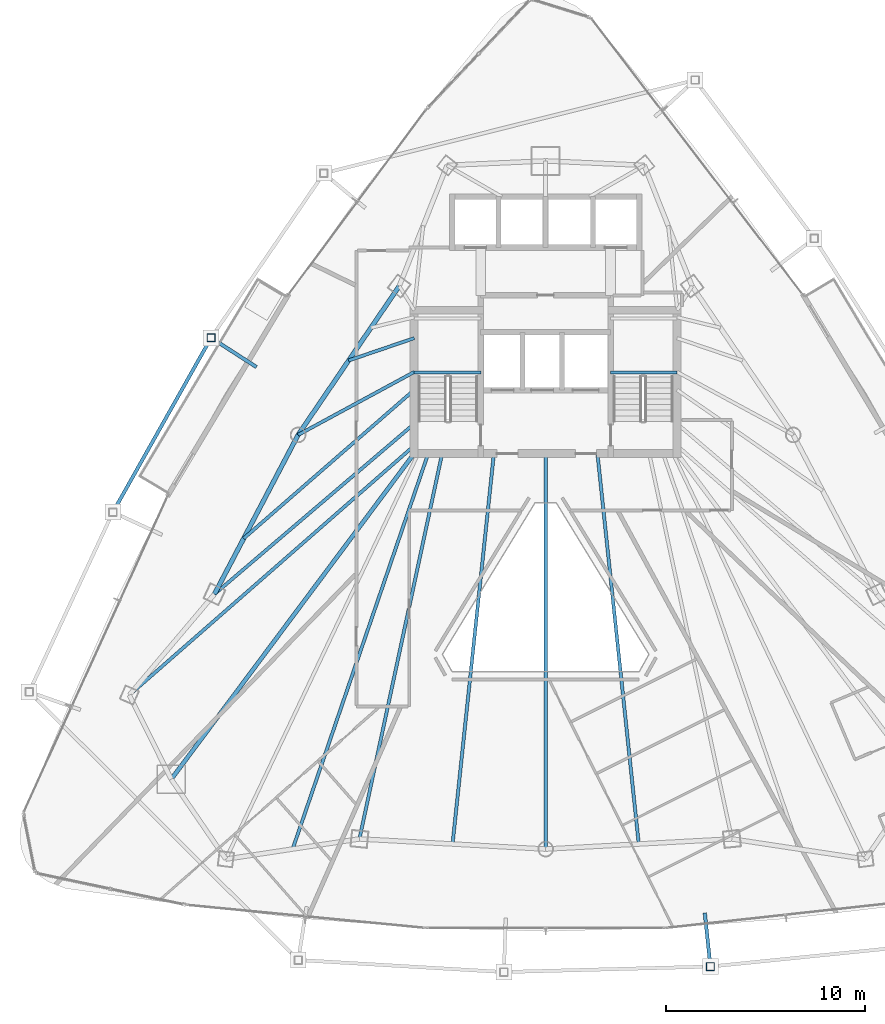
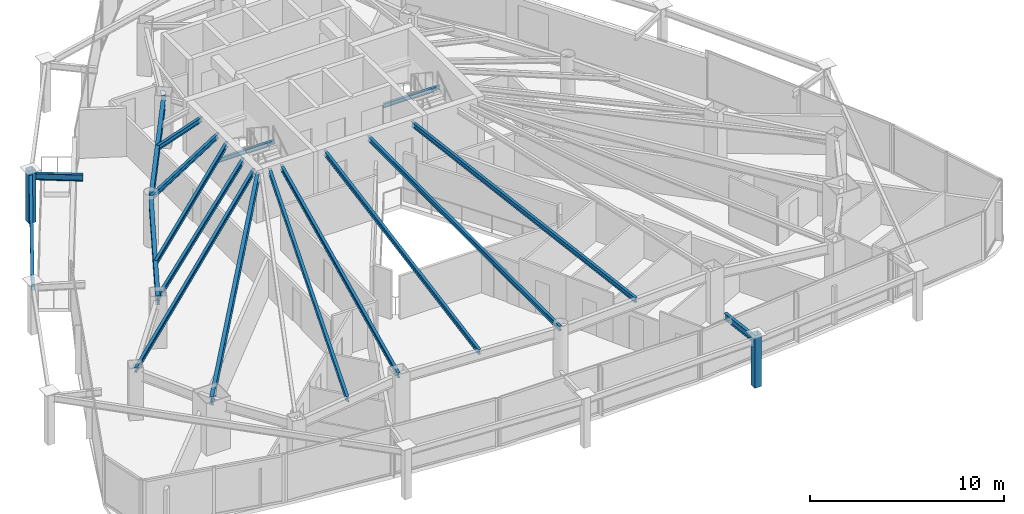
# One storey, part 10 of 31: 18 beams, 2 members.
"""IFC4 building model written with IfcOpenShell, lengths in metres."""

from ifc_helpers import new_model, si_unit, direction, frame, origin, origin_2d, place, context, subcontext, project, spatial, hollow_rectangle, i_section, extrude, material, material_profile, profile_set, type_object, element, save


model = new_model("IFC4")

# Units and contexts
model_context = context("Model", 3, precision=1e-05, world=origin(), true_north=direction((0.0, 1.0)))
body_context = subcontext(model_context, "Body", "Model", "MODEL_VIEW")
ifc_project = project(units=[si_unit("LENGTHUNIT", "METRE"), si_unit("AREAUNIT", "SQUARE_METRE"), si_unit("VOLUMEUNIT", "CUBIC_METRE"), si_unit("PLANEANGLEUNIT", "RADIAN"), si_unit("MASSUNIT", "GRAM", prefix="KILO")], contexts=[model_context])

# Site, building, storey
site_placement = place(None, origin())
site = spatial("IfcSite", under=ifc_project, at=site_placement, CompositionType="ELEMENT")
building_placement = place(site_placement, origin())
building = spatial("IfcBuilding", under=site, at=building_placement, Name="Orvanel Arch Residences", CompositionType="ELEMENT")
storey_placement = place(building_placement, frame((0.0, 0.0, 113.300048828125)))
storey = spatial("IfcBuildingStorey", under=building, at=storey_placement, Name="L31", CompositionType="ELEMENT", Elevation=113.300048828125)

# Beams
ifc_material_1 = material(Name="Structural steel AS/NZS 3679.1 Grade 300 (300 MPa)", Category="steel")
ifc_material_profile_1 = material_profile(ifc_material_1, i_section(OverallWidth=0.208984375, OverallDepth=0.532958984375, WebThickness=0.01025390625, FlangeThickness=0.015625, at=origin_2d()), Name="530UB92.4")
ifc_profile_set_1 = profile_set([ifc_material_profile_1], Name="Structural steel AS/NZS 3679.1 Grade 300 (300 MPa)")
beam_type_1 = type_object("IfcBeamType", Name="BG-530UB", PredefinedType="BEAM", material=ifc_profile_set_1)
beam_1_placement = place(storey_placement, frame((26.375, 26.675048828125, 2.7939453125), z_axis=(-0.597893733742, -0.801575375839, 0.0), x_axis=(0.801575375839, -0.597893733742, 0.0)))
element("IfcBeam", 1, at=beam_1_placement, inside=storey, type_object=beam_type_1, Name="L31 South-West Radial Girder", PredefinedType="BEAM", context=body_context, shape_type="SweptSolid", body=[
    extrude(i_section(OverallWidth=0.208984375, OverallDepth=0.532958984375, WebThickness=0.01025390625, FlangeThickness=0.015625, at=origin_2d()), origin(), (0.0, 0.0, 1.0), 20.36474609375),
])
ifc_material_profile_2 = material_profile(ifc_material_1, i_section(OverallWidth=0.14599609375, OverallDepth=0.251953125, WebThickness=0.006103515625, FlangeThickness=0.008544921875, at=origin_2d()), Name="250UB31.4")
ifc_profile_set_2 = profile_set([ifc_material_profile_2], Name="Structural steel AS/NZS 3679.1 Grade 300 (300 MPa)")
beam_type_2 = type_object("IfcBeamType", Name="BJ-250UB", PredefinedType="JOIST", material=ifc_profile_set_2)
for number, where, z_axis, x_axis, name in (
    (2, (26.39990234375, 30.780029296875, 1.323974609375), (1.0, 0.0, 0.0), (0.0, 1.0, 0.0), "L31 ST-1 Half-Landing Support Beam 1.1"),
    (3, (36.25, 30.780029296875, 1.323974609375), (1.0, 0.0, 0.0), (0.0, 1.0, 0.0), "L31 ST-2 Half-Landing Support Beam 1.1"),
):
    element("IfcBeam", number, at=place(storey_placement, frame(where, z_axis=z_axis, x_axis=x_axis)), inside=storey, type_object=beam_type_2, Name=name, PredefinedType="JOIST", context=body_context, shape_type="SweptSolid", body=[
        extrude(i_section(OverallWidth=0.14599609375, OverallDepth=0.251953125, WebThickness=0.006103515625, FlangeThickness=0.008544921875, at=origin_2d()), origin(), (0.0, 0.0, 1.0), 3.35009765625),
    ])
ifc_material_profile_3 = material_profile(ifc_material_1, i_section(OverallWidth=0.1650390625, OverallDepth=0.303955078125, WebThickness=0.006103515625, FlangeThickness=0.01025390625, at=origin_2d()), Name="310UB40.4")
ifc_profile_set_3 = profile_set([ifc_material_profile_3], Name="Structural steel AS/NZS 3679.1 Grade 300 (300 MPa)")
beam_type_3 = type_object("IfcBeamType", Name="BJ-310UB", PredefinedType="JOIST", material=ifc_profile_set_3)
beam_2_placement = place(storey_placement, frame((26.39990234375, 30.800048828125, 2.907958984375), z_axis=(-0.87925534649, -0.476350748576, 0.0), x_axis=(0.476350748576, -0.87925534649, 0.0)))
element("IfcBeam", 4, at=beam_2_placement, inside=storey, type_object=beam_type_3, Name="L31 NW Wing Floor Joist", PredefinedType="JOIST", context=body_context, shape_type="SweptSolid", body=[
    extrude(i_section(OverallWidth=0.1650390625, OverallDepth=0.303955078125, WebThickness=0.006103515625, FlangeThickness=0.01025390625, at=origin_2d()), origin(), (0.0, 0.0, 1.0), 6.631591796875),
])
beam_3_placement = place(storey_placement, frame((26.39990234375, 28.199951171875, 2.907958984375), z_axis=(-0.760821315761, -0.648961420644, 0.0), x_axis=(0.648961420644, -0.760821315761, 0.0)))
element("IfcBeam", 5, at=beam_3_placement, inside=storey, type_object=beam_type_3, Name="L31 W Wing Floor Joist", PredefinedType="JOIST", context=body_context, shape_type="SweptSolid", body=[
    extrude(i_section(OverallWidth=0.1650390625, OverallDepth=0.303955078125, WebThickness=0.006103515625, FlangeThickness=0.01025390625, at=origin_2d()), origin(), (0.0, 0.0, 1.0), 13.18701171875),
])
beam_4_placement = place(storey_placement, frame((27.800048828125, 26.699951171875, 2.907958984375), z_axis=(-0.209808012425, -0.977742603103, 0.0), x_axis=(0.977742603103, -0.209808012425, 0.0)))
element("IfcBeam", 6, at=beam_4_placement, inside=storey, type_object=beam_type_3, Name="L31 SW Wing Floor Joist", PredefinedType="JOIST", context=body_context, shape_type="SweptSolid", body=[
    extrude(i_section(OverallWidth=0.1650390625, OverallDepth=0.303955078125, WebThickness=0.006103515625, FlangeThickness=0.01025390625, at=origin_2d()), origin(), (0.0, 0.0, 1.0), 19.785400390625),
])
beam_5_placement = place(storey_placement, frame((33.0, 26.699951171875, 2.907958984375), z_axis=(0.0, -1.0, 0.0), x_axis=(1.0, 0.0, 0.0)))
element("IfcBeam", 7, at=beam_5_placement, inside=storey, type_object=beam_type_3, Name="L31 SSW Wing Floor Joist", PredefinedType="JOIST", context=body_context, shape_type="SweptSolid", body=[
    extrude(i_section(OverallWidth=0.1650390625, OverallDepth=0.303955078125, WebThickness=0.006103515625, FlangeThickness=0.01025390625, at=origin_2d()), origin(), (0.0, 0.0, 1.0), 19.85595703125),
])
beam_6_placement = place(storey_placement, frame((26.39990234375, 32.5, 2.907958984375), z_axis=(-0.946441958332, -0.322873999431, 0.0), x_axis=(0.322873999431, -0.946441958332, 0.0)))
element("IfcBeam", 8, at=beam_6_placement, inside=storey, type_object=beam_type_3, Name="L31 WNW Wing Floor Joist", PredefinedType="JOIST", context=body_context, shape_type="SweptSolid", body=[
    extrude(i_section(OverallWidth=0.1650390625, OverallDepth=0.303955078125, WebThickness=0.006103515625, FlangeThickness=0.01025390625, at=origin_2d()), origin(), (0.0, 0.0, 1.0), 3.478271484375),
])
for number, where, z_axis, x_axis, name in (
    (9, (30.39990234375, 26.699951171875, 2.907958984375), (-0.105277340935, -0.994442900063, 0.0), (0.994442900063, -0.105277340935, 0.0), "L31 WSW2 Wing Floor Joist"),
    (10, (35.60009765625, 26.699951171875, 2.907958984375), (0.105277340935, -0.994442900063, 0.0), (0.994442900063, 0.105277340935, 0.0), "L31 ESE2 Wing Floor Joist"),
):
    element("IfcBeam", number, at=place(storey_placement, frame(where, z_axis=z_axis, x_axis=x_axis)), inside=storey, type_object=beam_type_3, Name=name, PredefinedType="JOIST", context=body_context, shape_type="SweptSolid", body=[
        extrude(i_section(OverallWidth=0.1650390625, OverallDepth=0.303955078125, WebThickness=0.006103515625, FlangeThickness=0.01025390625, at=origin_2d()), origin(), (0.0, 0.0, 1.0), 19.70947265625),
    ])
beam_7_placement = place(storey_placement, frame((26.39990234375, 27.10009765625, 2.907958984375), z_axis=(-0.752493154183, -0.658600070534, 0.0), x_axis=(0.658600070534, -0.752493154183, 0.0)))
element("IfcBeam", 11, at=beam_7_placement, inside=storey, type_object=beam_type_3, Name="L31 MW Wing Floor Joist", PredefinedType="JOIST", context=body_context, shape_type="SweptSolid", body=[
    extrude(i_section(OverallWidth=0.1650390625, OverallDepth=0.303955078125, WebThickness=0.006103515625, FlangeThickness=0.01025390625, at=origin_2d()), origin(), (0.0, 0.0, 1.0), 19.010009765625),
])
beam_8_placement = place(storey_placement, frame((26.39990234375, 29.89990234375, 2.907958984375), z_axis=(-0.754047930849, -0.656819395254, 0.0), x_axis=(0.656819395254, -0.754047930849, 0.0)))
element("IfcBeam", 12, at=beam_8_placement, inside=storey, type_object=beam_type_3, Name="L31 CTW Wing Floor Joist", PredefinedType="JOIST", context=body_context, shape_type="SweptSolid", body=[
    extrude(i_section(OverallWidth=0.1650390625, OverallDepth=0.303955078125, WebThickness=0.006103515625, FlangeThickness=0.01025390625, at=origin_2d()), origin(), (0.0, 0.0, 1.0), 11.354736328125),
])
beam_9_placement = place(storey_placement, frame((27.10009765625, 26.699951171875, 2.907958984375), z_axis=(-0.324257108963, -0.945968988544, 0.0), x_axis=(0.945968988544, -0.324257108963, 0.0)))
element("IfcBeam", 13, at=beam_9_placement, inside=storey, type_object=beam_type_3, Name="L31 JADD1 Wing Floor Joist", PredefinedType="JOIST", context=body_context, shape_type="SweptSolid", body=[
    extrude(i_section(OverallWidth=0.1650390625, OverallDepth=0.303955078125, WebThickness=0.006103515625, FlangeThickness=0.01025390625, at=origin_2d()), origin(), (0.0, 0.0, 1.0), 20.987060546875),
])
ifc_material_profile_4 = material_profile(ifc_material_1, i_section(OverallWidth=0.177978515625, OverallDepth=0.406005859375, WebThickness=0.0078125, FlangeThickness=0.0126953125, at=origin_2d()), Name="410UB59.7")
ifc_profile_set_4 = profile_set([ifc_material_profile_4], Name="Structural steel AS/NZS 3679.1 Grade 300 (300 MPa)")
beam_type_4 = type_object("IfcBeamType", Name="OB-410UB-EXT", PredefinedType="SPANDREL", material=ifc_profile_set_4)
beam_10_placement = place(storey_placement, frame((18.47705078125, 31.048095703125, 2.85693359375), z_axis=(-0.840207905483, 0.542264396363, 0.0), x_axis=(-0.542264396363, -0.840207905483, 0.0)))
element("IfcBeam", 14, at=beam_10_placement, inside=storey, type_object=beam_type_4, Name="L31 Outer Frame Radial Tie Beam 02", PredefinedType="SPANDREL", context=body_context, shape_type="SweptSolid", body=[
    extrude(i_section(OverallWidth=0.177978515625, OverallDepth=0.406005859375, WebThickness=0.0078125, FlangeThickness=0.0126953125, at=origin_2d()), origin(), (0.0, 0.0, 1.0), 2.708984375),
])
beam_11_placement = place(storey_placement, frame((16.200927734375, 32.51708984375, 2.85693359375), z_axis=(-0.49068450457, -0.871337315266, 0.0), x_axis=(0.871337315266, -0.49068450457, 0.0)))
element("IfcBeam", 15, at=beam_11_placement, inside=storey, type_object=beam_type_4, Name="L31 Outer Perimeter Floor Ring Beam 02", PredefinedType="SPANDREL", context=body_context, shape_type="SweptSolid", body=[
    extrude(i_section(OverallWidth=0.177978515625, OverallDepth=0.406005859375, WebThickness=0.0078125, FlangeThickness=0.0126953125, at=origin_2d()), origin(), (0.0, 0.0, 1.0), 10.049072265625),
])
beam_12_placement = place(storey_placement, frame((40.989990234375, 3.64111328125, 2.85693359375), z_axis=(0.104773886144, -0.994496069767, 0.0), x_axis=(0.994496069767, 0.104773886144, 0.0)))
element("IfcBeam", 16, at=beam_12_placement, inside=storey, type_object=beam_type_4, Name="L31 Outer Frame Radial Tie Beam 07", PredefinedType="SPANDREL", context=body_context, shape_type="SweptSolid", body=[
    extrude(i_section(OverallWidth=0.177978515625, OverallDepth=0.406005859375, WebThickness=0.0078125, FlangeThickness=0.0126953125, at=origin_2d()), origin(), (0.0, 0.0, 1.0), 2.7099609375),
])
ifc_material_profile_5 = material_profile(ifc_material_1, i_section(OverallWidth=0.22900390625, OverallDepth=0.612060546875, WebThickness=0.011962890625, FlangeThickness=0.01953125, at=origin_2d()), Name="610UB125")
ifc_profile_set_5 = profile_set([ifc_material_profile_5], Name="Structural steel AS/NZS 3679.1 Grade 300 (300 MPa)")
beam_type_5 = type_object("IfcBeamType", Name="SP-610UB", PredefinedType="SPANDREL", material=ifc_profile_set_5)
beam_13_placement = place(storey_placement, frame((25.64794921875, 35.113037109375, 2.75390625), z_axis=(-0.562154793153, -0.827032035978, 0.0), x_axis=(0.827032035978, -0.562154793153, 0.0)))
element("IfcBeam", 17, at=beam_13_placement, inside=storey, type_object=beam_type_5, Name="L31 Perimeter Spandrel Beam 17", PredefinedType="SPANDREL", context=body_context, shape_type="SweptSolid", body=[
    extrude(i_section(OverallWidth=0.22900390625, OverallDepth=0.612060546875, WebThickness=0.011962890625, FlangeThickness=0.01953125, at=origin_2d()), origin(), (0.0, 0.0, 1.0), 9.03466796875),
])
beam_14_placement = place(storey_placement, frame((20.569091796875, 27.64111328125, 2.75390625), z_axis=(-0.465064762793, -0.885276660942, 0.0), x_axis=(0.885276660942, -0.465064762793, 0.0)))
element("IfcBeam", 18, at=beam_14_placement, inside=storey, type_object=beam_type_5, Name="L31 Perimeter Spandrel Beam 18", PredefinedType="SPANDREL", context=body_context, shape_type="SweptSolid", body=[
    extrude(i_section(OverallWidth=0.22900390625, OverallDepth=0.612060546875, WebThickness=0.011962890625, FlangeThickness=0.01953125, at=origin_2d()), origin(), (0.0, 0.0, 1.0), 9.03564453125),
])

# Members
ifc_material_2 = material(Name="Structural steel AS/NZS 1163 C450L0 (Grade 450)", Category="steel")
ifc_material_profile_6 = material_profile(ifc_material_2, hollow_rectangle(XDim=0.39990234375, YDim=0.39990234375, WallThickness=0.01611328125, at=origin_2d()), Name="SHS400x400x16")
ifc_profile_set_6 = profile_set([ifc_material_profile_6], Name="Structural steel AS/NZS 1163 C450L0 (Grade 450)")
member_type = type_object("IfcMemberType", Name="ST-400SHS-EXT", PredefinedType="STRUT", material=ifc_profile_set_6)
for number, where, z_axis, x_axis, name in (
    (19, (16.200927734375, 32.51708984375, 0.0), (0.0, 0.0, 1.0), (1.0, 0.0, 0.0), "L31 Outer Perimeter Frame Post 02"),
    (20, (41.27392578125, 0.946044921875, 0.0), (0.0, 0.0, 1.0), (1.0, 0.0, 0.0), "L31 Outer Perimeter Frame Post 07"),
):
    element("IfcMember", number, at=place(storey_placement, frame(where, z_axis=z_axis, x_axis=x_axis)), inside=storey, type_object=member_type, Name=name, PredefinedType="STRUT", context=body_context, shape_type="SweptSolid", body=[
        extrude(hollow_rectangle(XDim=0.39990234375, YDim=0.39990234375, WallThickness=0.01611328125, at=origin_2d()), origin(), (0.0, 0.0, 1.0), 3.300048828125),
    ])

save(model, "model.ifc")
